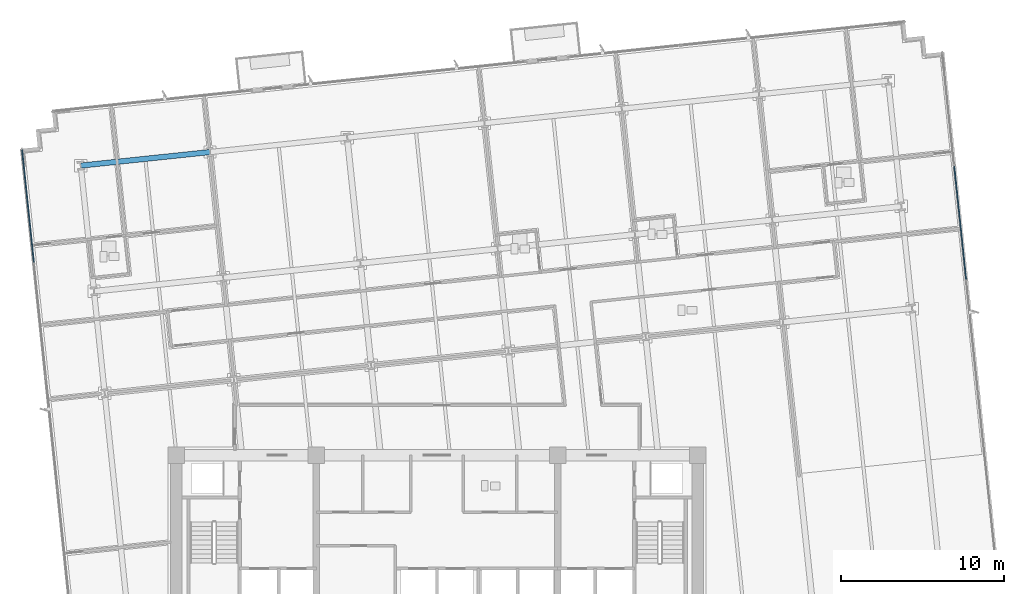
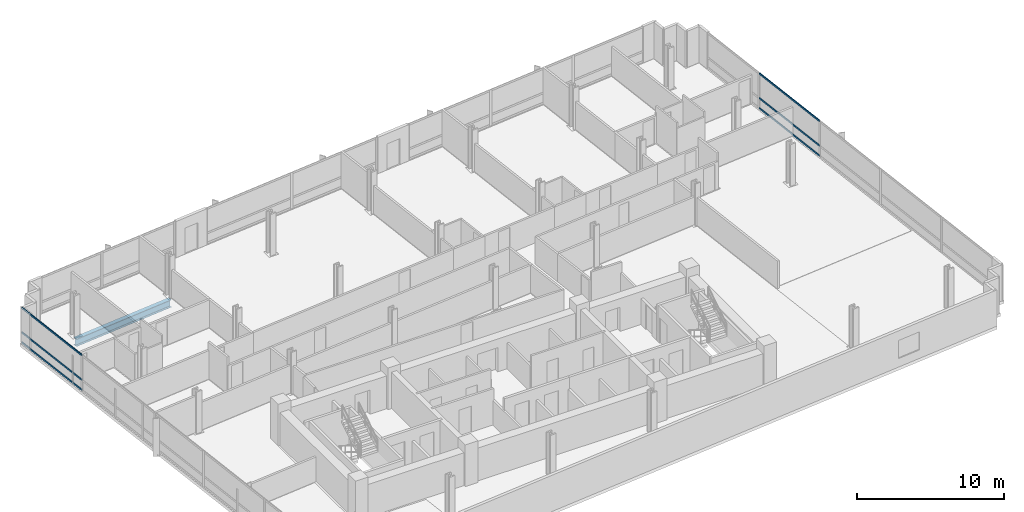
# One storey, part 6 of 18: 6 members, 1 beam, 2 elements without a shape of their own.
"""IFC4 building model written with IfcOpenShell, lengths in metres."""

from ifc_helpers import new_model, si_unit, direction, frame, origin, origin_2d, place, context, subcontext, project, spatial, rectangle, i_section, extrude, material, material_profile, profile_set, type_object, element, aggregate, save


model = new_model("IFC4")

# Units and contexts
model_context = context("Model", 3, precision=1e-05, world=origin(), true_north=direction((0.0, 1.0)))
body_context = subcontext(model_context, "Body", "Model", "MODEL_VIEW")
ifc_project = project(units=[si_unit("LENGTHUNIT", "METRE"), si_unit("AREAUNIT", "SQUARE_METRE"), si_unit("VOLUMEUNIT", "CUBIC_METRE"), si_unit("PLANEANGLEUNIT", "RADIAN"), si_unit("MASSUNIT", "GRAM", prefix="KILO")], contexts=[model_context])

# Site, building, storey
site_placement = place(None, origin())
site = spatial("IfcSite", under=ifc_project, at=site_placement, CompositionType="ELEMENT")
building_placement = place(site_placement, origin())
building = spatial("IfcBuilding", under=site, at=building_placement, Name="Solmavex Isthmus Hotel", CompositionType="ELEMENT")
storey_placement = place(building_placement, frame((0.0, 0.0, 127.050048828125)))
storey = spatial("IfcBuildingStorey", under=building, at=storey_placement, Name="L34", CompositionType="ELEMENT", Elevation=127.050048828125)

# Beam
ifc_material_1 = material(Name="Steel ASTM A992 Grade 50", Category="steel")
ifc_material_profile_1 = material_profile(ifc_material_1, i_section(OverallWidth=0.326416015625, OverallDepth=0.621826171875, WebThickness=0.015380859375, FlangeThickness=0.0244140625, FilletRadius=0.01513671875, at=origin_2d()), Name="W24X131")
ifc_profile_set_1 = profile_set([ifc_material_profile_1], Name="Steel ASTM A992 Grade 50")
beam_type = type_object("IfcBeamType", Name="BM-SP-W24X131", PredefinedType="SPANDREL", material=ifc_profile_set_1)
beam_placement = place(storey_placement, frame((-21.851806640625, 15.2587890625, -0.571044921875), z_axis=(0.994523402738, 0.104514120609, 0.0), x_axis=(-0.104514120609, 0.994523402738, 0.0)))
element("IfcBeam", 1, at=beam_placement, inside=storey, type_object=beam_type, Name="Floor Girder L34-UG19", PredefinedType="SPANDREL", context=body_context, shape_type="SweptSolid", body=[
    extrude(i_section(OverallWidth=0.326416015625, OverallDepth=0.621826171875, WebThickness=0.015380859375, FlangeThickness=0.0244140625, FilletRadius=0.01513671875, at=origin_2d()), origin(), (0.0, 0.0, 1.0), 7.968017578125),
])

# Curtain wall, members
ifc_material_2 = material(Name="Aluminium alloy 6063-T6", Category="aluminium")
curtain_wall_type = type_object("IfcCurtainWallType", Name="CW-SYS-03", PredefinedType="NOTDEFINED", material=ifc_material_2)
curtain_wall_1_placement = place(storey_placement, origin())
curtain_wall_1 = element("IfcCurtainWall", 2, at=curtain_wall_1_placement, inside=storey, type_object=curtain_wall_type, Name="Stick Curtain Wall CWL-L34-W1", PredefinedType="NOTDEFINED")
ifc_material_profile_2 = material_profile(ifc_material_2, rectangle(XDim=0.070068359375, YDim=0.139892578125, at=origin_2d()), Name="CWT-70X140")
ifc_profile_set_2 = profile_set([ifc_material_profile_2], Name="Aluminium alloy 6063-T6")
member_type = type_object("IfcMemberType", Name="CW-SYS-03-TRN", PredefinedType="USERDEFINED", material=ifc_profile_set_2)
member_1_placement = place(storey_placement, frame((-24.728759765625, 9.340576171875, 0.070068359375), z_axis=(-0.104539595565, 0.994520725254, 0.0), x_axis=(-0.994520725254, -0.104539595565, 0.0)))
member_1 = element("IfcMember", 3, at=member_1_placement, type_object=member_type, Name="CW-03 transom 5.1", ObjectType="TRANSOM", PredefinedType="USERDEFINED", context=body_context, shape_type="SweptSolid", body=[
    extrude(rectangle(XDim=0.070068359375, YDim=0.139892578125, at=origin_2d()), origin(), (0.0, 0.0, 1.0), 6.9150390625),
])
member_2_placement = place(storey_placement, frame((-24.728759765625, 9.340576171875, 0.89990234375), z_axis=(-0.104539595565, 0.994520725254, 0.0), x_axis=(-0.994520725254, -0.104539595565, 0.0)))
member_2 = element("IfcMember", 4, at=member_2_placement, type_object=member_type, Name="CW-03 transom 5.2", ObjectType="TRANSOM", PredefinedType="USERDEFINED", context=body_context, shape_type="SweptSolid", body=[
    extrude(rectangle(XDim=0.070068359375, YDim=0.139892578125, at=origin_2d()), origin(), (0.0, 0.0, 1.0), 6.9150390625),
])
member_3_placement = place(storey_placement, frame((-24.728759765625, 9.340576171875, 2.929931640625), z_axis=(-0.104539595565, 0.994520725254, 0.0), x_axis=(-0.994520725254, -0.104539595565, 0.0)))
member_3 = element("IfcMember", 5, at=member_3_placement, type_object=member_type, Name="CW-03 transom 5.3", ObjectType="TRANSOM", PredefinedType="USERDEFINED", context=body_context, shape_type="SweptSolid", body=[
    extrude(rectangle(XDim=0.070068359375, YDim=0.139892578125, at=origin_2d()), origin(), (0.0, 0.0, 1.0), 6.9150390625),
])
aggregate(curtain_wall_1, [member_1, member_2, member_3])

curtain_wall_2_placement = place(storey_placement, origin())
curtain_wall_2 = element("IfcCurtainWall", 6, at=curtain_wall_2_placement, inside=storey, type_object=curtain_wall_type, Name="Stick Curtain Wall CWL-L34-E1", PredefinedType="NOTDEFINED")
member_4_placement = place(storey_placement, frame((32.4541015625, 8.2919921875, 0.070068359375), z_axis=(-0.104538500317, 0.994520840381, 0.0), x_axis=(-0.994520840381, -0.104538500317, 0.0)))
member_4 = element("IfcMember", 7, at=member_4_placement, type_object=member_type, Name="CW-03 transom 4.1", ObjectType="TRANSOM", PredefinedType="USERDEFINED", context=body_context, shape_type="SweptSolid", body=[
    extrude(rectangle(XDim=0.070068359375, YDim=0.139892578125, at=origin_2d()), origin(), (0.0, 0.0, 1.0), 6.9501953125),
])
member_5_placement = place(storey_placement, frame((32.4541015625, 8.2919921875, 0.89990234375), z_axis=(-0.104538500317, 0.994520840381, 0.0), x_axis=(-0.994520840381, -0.104538500317, 0.0)))
member_5 = element("IfcMember", 8, at=member_5_placement, type_object=member_type, Name="CW-03 transom 4.2", ObjectType="TRANSOM", PredefinedType="USERDEFINED", context=body_context, shape_type="SweptSolid", body=[
    extrude(rectangle(XDim=0.070068359375, YDim=0.139892578125, at=origin_2d()), origin(), (0.0, 0.0, 1.0), 6.9501953125),
])
member_6_placement = place(storey_placement, frame((32.4541015625, 8.2919921875, 2.929931640625), z_axis=(-0.104538500317, 0.994520840381, 0.0), x_axis=(-0.994520840381, -0.104538500317, 0.0)))
member_6 = element("IfcMember", 9, at=member_6_placement, type_object=member_type, Name="CW-03 transom 4.3", ObjectType="TRANSOM", PredefinedType="USERDEFINED", context=body_context, shape_type="SweptSolid", body=[
    extrude(rectangle(XDim=0.070068359375, YDim=0.139892578125, at=origin_2d()), origin(), (0.0, 0.0, 1.0), 6.9501953125),
])
aggregate(curtain_wall_2, [member_4, member_5, member_6])

save(model, "model.ifc")
